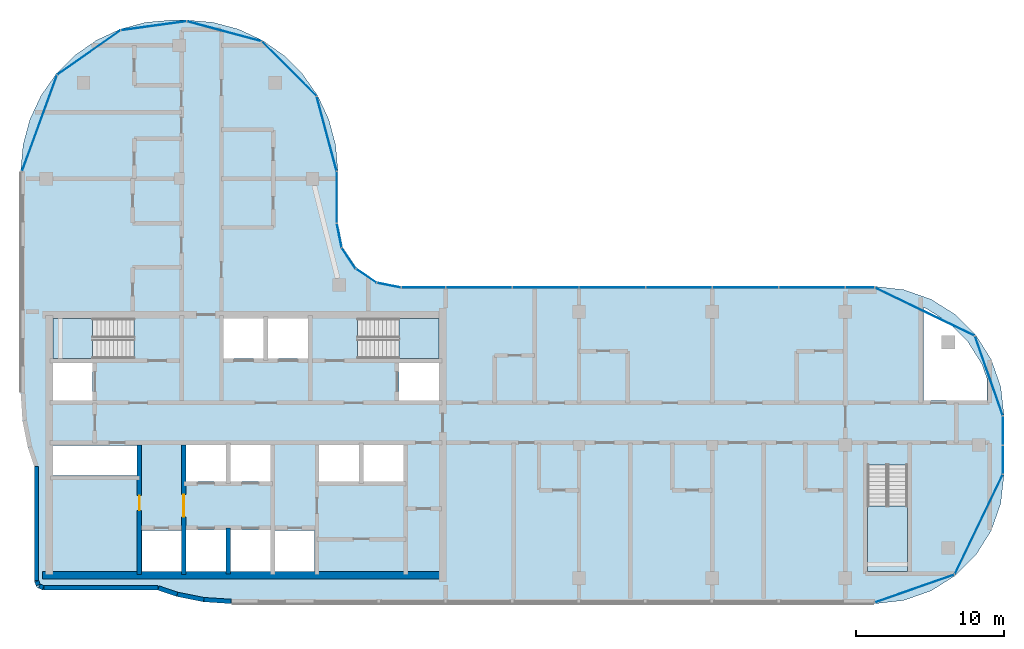
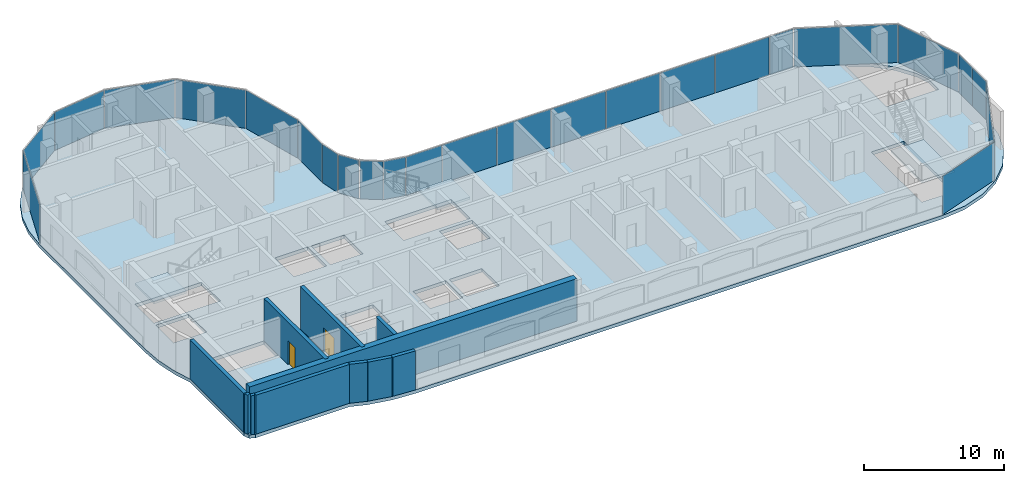
# One storey, part 8 of 19: 25 plates, 11 walls, 4 slabs, 2 doors, 2 openings, 10 elements without a shape of their own.
"""IFC4 building model written with IfcOpenShell, lengths in metres."""

from ifc_helpers import new_model, si_unit, direction, frame, frame_2d, origin, origin_2d, place, context, subcontext, project, spatial, polyline, rectangle, outline, extrude, material, layer, layer_set, type_object, element, fill, aggregate, save


model = new_model("IFC4")

# Units and contexts
model_context = context("Model", 3, precision=1e-05, world=origin(), true_north=direction((0.0, 1.0)))
body_context = subcontext(model_context, "Body", "Model", "MODEL_VIEW")
ifc_project = project(units=[si_unit("LENGTHUNIT", "METRE"), si_unit("AREAUNIT", "SQUARE_METRE"), si_unit("VOLUMEUNIT", "CUBIC_METRE"), si_unit("PLANEANGLEUNIT", "RADIAN"), si_unit("MASSUNIT", "GRAM", prefix="KILO")], contexts=[model_context])

# Site, building, storey
site_placement = place(None, origin())
site = spatial("IfcSite", under=ifc_project, at=site_placement, CompositionType="ELEMENT")
building_placement = place(site_placement, origin())
building = spatial("IfcBuilding", under=site, at=building_placement, Name="Ogive Portal Towers", CompositionType="ELEMENT")
storey_placement = place(building_placement, frame((0.0, 0.0, 203.199951171875)))
storey = spatial("IfcBuildingStorey", under=building, at=storey_placement, Name="L50", CompositionType="ELEMENT", Elevation=203.199951171875)

# Curtain wall, plates
ifc_material_1 = material(Name="Glass, clear low-iron insulated glazing", Category="glass")
curtain_wall_type = type_object("IfcCurtainWallType", Name="CW FRONT RIBBON 4500", PredefinedType="NOTDEFINED", material=ifc_material_1)
curtain_wall_1_placement = place(storey_placement, origin())
curtain_wall_1 = element("IfcCurtainWall", 1, at=curtain_wall_1_placement, inside=storey, type_object=curtain_wall_type, Name="A:L50:f10:cw0", PredefinedType="NOTDEFINED")
ifc_layer_1 = layer(ifc_material_1, 0.028076171875)
ifc_layer_set_1 = layer_set([ifc_layer_1], Name="CW PANEL IGU 28")
plate_type = type_object("IfcPlateType", Name="CW PANEL IGU 28", PredefinedType="CURTAIN_PANEL", material=ifc_layer_set_1)
plate_1_placement = place(storey_placement, frame((96.135009765625, 29.509033203125, 0.0), z_axis=(0.0, 0.0, 1.0), x_axis=(0.0, 1.0, 0.0)))
plate_1 = element("IfcPlate", 2, at=plate_1_placement, type_object=plate_type, Name="panel", PredefinedType="CURTAIN_PANEL", context=body_context, shape_type="SweptSolid", body=[
    extrude(rectangle(XDim=1.921630859375, YDim=0.028076171875, at=origin_2d()), origin(), (0.0, 0.0, 1.0), 3.340087890625),
])
plate_2_placement = place(storey_placement, frame((96.135009765625, 31.4931640625, 0.0), z_axis=(0.0, 0.0, 1.0), x_axis=(0.0, 1.0, 0.0)))
plate_2 = element("IfcPlate", 3, at=plate_2_placement, type_object=plate_type, Name="panel", PredefinedType="CURTAIN_PANEL", context=body_context, shape_type="SweptSolid", body=[
    extrude(rectangle(XDim=1.926513671875, YDim=0.028076171875, at=origin_2d()), origin(), (0.0, 0.0, 1.0), 3.340087890625),
])
aggregate(curtain_wall_1, [plate_1, plate_2])

curtain_wall_2_placement = place(storey_placement, origin())
curtain_wall_2 = element("IfcCurtainWall", 4, at=curtain_wall_2_placement, inside=storey, type_object=curtain_wall_type, Name="A:L50:f13:cw0", PredefinedType="NOTDEFINED")
plate_3_placement = place(storey_placement, frame((86.490966796875, 41.135009765625, 0.0), z_axis=(0.0, 0.0, 1.0), x_axis=(-1.0, 0.0, 0.0)))
plate_3 = element("IfcPlate", 5, at=plate_3_placement, type_object=plate_type, Name="panel", PredefinedType="CURTAIN_PANEL", context=body_context, shape_type="SweptSolid", body=[
    extrude(rectangle(XDim=1.921630859375, YDim=0.028076171875, at=origin_2d()), origin(), (0.0, 0.0, 1.0), 3.340087890625),
])
plate_4_placement = place(storey_placement, frame((83.25, 41.135009765625, 0.0), z_axis=(0.0, 0.0, 1.0), x_axis=(-1.0, 0.0, 0.0)))
plate_4 = element("IfcPlate", 6, at=plate_4_placement, type_object=plate_type, Name="panel", PredefinedType="CURTAIN_PANEL", context=body_context, shape_type="SweptSolid", body=[
    extrude(rectangle(XDim=4.43994140625, YDim=0.028076171875, at=origin_2d()), origin(), (0.0, 0.0, 1.0), 3.340087890625),
])
plate_5_placement = place(storey_placement, frame((78.75, 41.135009765625, 0.0), z_axis=(0.0, 0.0, 1.0), x_axis=(-1.0, 0.0, 0.0)))
plate_5 = element("IfcPlate", 7, at=plate_5_placement, type_object=plate_type, Name="panel", PredefinedType="CURTAIN_PANEL", context=body_context, shape_type="SweptSolid", body=[
    extrude(rectangle(XDim=4.43994140625, YDim=0.028076171875, at=origin_2d()), origin(), (0.0, 0.0, 1.0), 3.340087890625),
])
plate_6_placement = place(storey_placement, frame((74.25, 41.135009765625, 0.0), z_axis=(0.0, 0.0, 1.0), x_axis=(-1.0, 0.0, 0.0)))
plate_6 = element("IfcPlate", 8, at=plate_6_placement, type_object=plate_type, Name="panel", PredefinedType="CURTAIN_PANEL", context=body_context, shape_type="SweptSolid", body=[
    extrude(rectangle(XDim=4.43994140625, YDim=0.028076171875, at=origin_2d()), origin(), (0.0, 0.0, 1.0), 3.340087890625),
])
plate_7_placement = place(storey_placement, frame((69.75, 41.135009765625, 0.0), z_axis=(0.0, 0.0, 1.0), x_axis=(-1.0, 0.0, 0.0)))
plate_7 = element("IfcPlate", 9, at=plate_7_placement, type_object=plate_type, Name="panel", PredefinedType="CURTAIN_PANEL", context=body_context, shape_type="SweptSolid", body=[
    extrude(rectangle(XDim=4.43994140625, YDim=0.028076171875, at=origin_2d()), origin(), (0.0, 0.0, 1.0), 3.340087890625),
])
plate_8_placement = place(storey_placement, frame((65.25, 41.135009765625, 0.0), z_axis=(0.0, 0.0, 1.0), x_axis=(-1.0, 0.0, 0.0)))
plate_8 = element("IfcPlate", 10, at=plate_8_placement, type_object=plate_type, Name="panel", PredefinedType="CURTAIN_PANEL", context=body_context, shape_type="SweptSolid", body=[
    extrude(rectangle(XDim=4.43994140625, YDim=0.028076171875, at=origin_2d()), origin(), (0.0, 0.0, 1.0), 3.340087890625),
])
plate_9_placement = place(storey_placement, frame((60.75, 41.135009765625, 0.0), z_axis=(0.0, 0.0, 1.0), x_axis=(-1.0, 0.0, 0.0)))
plate_9 = element("IfcPlate", 11, at=plate_9_placement, type_object=plate_type, Name="panel", PredefinedType="CURTAIN_PANEL", context=body_context, shape_type="SweptSolid", body=[
    extrude(rectangle(XDim=4.43994140625, YDim=0.028076171875, at=origin_2d()), origin(), (0.0, 0.0, 1.0), 3.340087890625),
])
plate_10_placement = place(storey_placement, frame((56.99609375, 41.135009765625, 0.0), z_axis=(0.0, 0.0, 1.0), x_axis=(-1.0, 0.0, 0.0)))
plate_10 = element("IfcPlate", 12, at=plate_10_placement, type_object=plate_type, Name="panel", PredefinedType="CURTAIN_PANEL", context=body_context, shape_type="SweptSolid", body=[
    extrude(rectangle(XDim=2.947998046875, YDim=0.028076171875, at=origin_2d()), origin(), (0.0, 0.0, 1.0), 3.340087890625),
])
aggregate(curtain_wall_2, [plate_3, plate_4, plate_5, plate_6, plate_7, plate_8, plate_9, plate_10])

# Curtain wall, plate
curtain_wall_3_placement = place(storey_placement, origin())
curtain_wall_3 = element("IfcCurtainWall", 13, at=curtain_wall_3_placement, inside=storey, type_object=curtain_wall_type, Name="A:L50:f18:cw0", PredefinedType="NOTDEFINED")
plate_11_placement = place(storey_placement, frame((51.135009765625, 47.24072265625, 0.0), z_axis=(0.0, 0.0, 1.0), x_axis=(0.0, 1.0, 0.0)))
plate_11 = element("IfcPlate", 14, at=plate_11_placement, type_object=plate_type, Name="panel", PredefinedType="CURTAIN_PANEL", context=body_context, shape_type="SweptSolid", body=[
    extrude(rectangle(XDim=3.437255859375, YDim=0.028076171875, at=origin_2d()), origin(), (0.0, 0.0, 1.0), 3.340087890625),
])
aggregate(curtain_wall_3, [plate_11])

# Curtain wall, plates
curtain_wall_4_placement = place(storey_placement, origin())
curtain_wall_4 = element("IfcCurtainWall", 15, at=curtain_wall_4_placement, inside=storey, type_object=curtain_wall_type, Name="A:L50:f08:cwa", PredefinedType="NOTDEFINED")
plate_12_placement = place(storey_placement, frame((90.18115234375, 20.807861328125, 0.0), z_axis=(0.0, 0.0, 1.0), x_axis=(0.943883330307, 0.33027906196, 0.0)))
plate_12 = element("IfcPlate", 16, at=plate_12_placement, type_object=plate_type, Name="panel", PredefinedType="CURTAIN_PANEL", context=body_context, shape_type="SweptSolid", body=[
    extrude(rectangle(XDim=5.650146484375, YDim=0.028076171875, at=origin_2d()), origin(), (0.0, 0.0, 1.0), 3.340087890625),
])
plate_13_placement = place(storey_placement, frame((94.505615234375, 25.134521484375, 0.0), z_axis=(0.0, 0.0, 1.0), x_axis=(0.433883739113, 0.900968867905, 0.0)))
plate_13 = element("IfcPlate", 17, at=plate_13_placement, type_object=plate_type, Name="panel", PredefinedType="CURTAIN_PANEL", context=body_context, shape_type="SweptSolid", body=[
    extrude(rectangle(XDim=7.451171875, YDim=0.028076171875, at=origin_2d()), origin(), (0.0, 0.0, 1.0), 3.340087890625),
])
aggregate(curtain_wall_4, [plate_12, plate_13])

curtain_wall_5_placement = place(storey_placement, origin())
curtain_wall_5 = element("IfcCurtainWall", 18, at=curtain_wall_5_placement, inside=storey, type_object=curtain_wall_type, Name="A:L50:f11:cwa", PredefinedType="NOTDEFINED")
plate_14_placement = place(storey_placement, frame((95.192138671875, 35.18115234375, 0.0), z_axis=(0.0, 0.0, 1.0), x_axis=(-0.33027906196, 0.943883330307, 0.0)))
plate_14 = element("IfcPlate", 19, at=plate_14_placement, type_object=plate_type, Name="panel", PredefinedType="CURTAIN_PANEL", context=body_context, shape_type="SweptSolid", body=[
    extrude(rectangle(XDim=5.650146484375, YDim=0.028076171875, at=origin_2d()), origin(), (0.0, 0.0, 1.0), 3.340087890625),
])
plate_15_placement = place(storey_placement, frame((90.865478515625, 39.505615234375, 0.0), z_axis=(0.0, 0.0, 1.0), x_axis=(-0.900968867905, 0.433883739113, 0.0)))
plate_15 = element("IfcPlate", 20, at=plate_15_placement, type_object=plate_type, Name="panel", PredefinedType="CURTAIN_PANEL", context=body_context, shape_type="SweptSolid", body=[
    extrude(rectangle(XDim=7.451171875, YDim=0.028076171875, at=origin_2d()), origin(), (0.0, 0.0, 1.0), 3.340087890625),
])
aggregate(curtain_wall_5, [plate_14, plate_15])

curtain_wall_6_placement = place(storey_placement, origin())
curtain_wall_6 = element("IfcCurtainWall", 21, at=curtain_wall_6_placement, inside=storey, type_object=curtain_wall_type, Name="A:L50:f14:cwa", PredefinedType="NOTDEFINED")
plate_16_placement = place(storey_placement, frame((54.66064453125, 41.30029296875, 0.0), z_axis=(0.0, 0.0, 1.0), x_axis=(-0.980785280403, 0.195090322016, 0.0)))
plate_16 = element("IfcPlate", 22, at=plate_16_placement, type_object=plate_type, Name="panel", PredefinedType="CURTAIN_PANEL", context=body_context, shape_type="SweptSolid", body=[
    extrude(rectangle(XDim=1.6357421875, YDim=0.028076171875, at=origin_2d()), origin(), (0.0, 0.0, 1.0), 3.340087890625),
])
plate_17_placement = place(storey_placement, frame((53.12060546875, 41.939208984375, 0.0), z_axis=(0.0, 0.0, 1.0), x_axis=(-0.831469612303, 0.55557023302, 0.0)))
plate_17 = element("IfcPlate", 23, at=plate_17_placement, type_object=plate_type, Name="panel", PredefinedType="CURTAIN_PANEL", context=body_context, shape_type="SweptSolid", body=[
    extrude(rectangle(XDim=1.643798828125, YDim=0.028076171875, at=origin_2d()), origin(), (0.0, 0.0, 1.0), 3.340087890625),
])
plate_18_placement = place(storey_placement, frame((51.939208984375, 43.12060546875, 0.0), z_axis=(0.0, 0.0, 1.0), x_axis=(-0.55557023302, 0.831469612303, 0.0)))
plate_18 = element("IfcPlate", 24, at=plate_18_placement, type_object=plate_type, Name="panel", PredefinedType="CURTAIN_PANEL", context=body_context, shape_type="SweptSolid", body=[
    extrude(rectangle(XDim=1.643798828125, YDim=0.028076171875, at=origin_2d()), origin(), (0.0, 0.0, 1.0), 3.340087890625),
])
plate_19_placement = place(storey_placement, frame((51.30029296875, 44.66064453125, 0.0), z_axis=(0.0, 0.0, 1.0), x_axis=(-0.195090322016, 0.980785280403, 0.0)))
plate_19 = element("IfcPlate", 25, at=plate_19_placement, type_object=plate_type, Name="panel", PredefinedType="CURTAIN_PANEL", context=body_context, shape_type="SweptSolid", body=[
    extrude(rectangle(XDim=1.6357421875, YDim=0.028076171875, at=origin_2d()), origin(), (0.0, 0.0, 1.0), 3.340087890625),
])
aggregate(curtain_wall_6, [plate_16, plate_17, plate_18, plate_19])

curtain_wall_7_placement = place(storey_placement, origin())
curtain_wall_7 = element("IfcCurtainWall", 26, at=curtain_wall_7_placement, inside=storey, type_object=curtain_wall_type, Name="A:L50:f19:cwa", PredefinedType="NOTDEFINED")
plate_20_placement = place(storey_placement, frame((50.454833984375, 51.52783203125, 0.0), z_axis=(0.0, 0.0, 1.0), x_axis=(-0.258819045103, 0.965925826289, 0.0)))
plate_20 = element("IfcPlate", 27, at=plate_20_placement, type_object=plate_type, Name="panel", PredefinedType="CURTAIN_PANEL", context=body_context, shape_type="SweptSolid", body=[
    extrude(rectangle(XDim=5.19580078125, YDim=0.028076171875, at=origin_2d()), origin(), (0.0, 0.0, 1.0), 3.340087890625),
])
plate_21_placement = place(storey_placement, frame((47.92041015625, 55.92041015625, 0.0), z_axis=(0.0, 0.0, 1.0), x_axis=(-0.707106781187, 0.707106781187, 0.0)))
plate_21 = element("IfcPlate", 28, at=plate_21_placement, type_object=plate_type, Name="panel", PredefinedType="CURTAIN_PANEL", context=body_context, shape_type="SweptSolid", body=[
    extrude(rectangle(XDim=5.184814453125, YDim=0.028076171875, at=origin_2d()), origin(), (0.0, 0.0, 1.0), 3.340087890625),
])
plate_22_placement = place(storey_placement, frame((43.530517578125, 58.4541015625, 0.0), z_axis=(0.0, 0.0, 1.0), x_axis=(-0.965925826289, 0.258819045103, 0.0)))
plate_22 = element("IfcPlate", 29, at=plate_22_placement, type_object=plate_type, Name="panel", PredefinedType="CURTAIN_PANEL", context=body_context, shape_type="SweptSolid", body=[
    extrude(rectangle(XDim=5.190185546875, YDim=0.028076171875, at=origin_2d()), origin(), (0.0, 0.0, 1.0), 3.340087890625),
])
plate_23_placement = place(storey_placement, frame((38.765625, 58.827880859375, 0.0), z_axis=(0.0, 0.0, 1.0), x_axis=(-0.990733764465, -0.135818290186, 0.0)))
plate_23 = element("IfcPlate", 30, at=plate_23_placement, type_object=plate_type, Name="panel", PredefinedType="CURTAIN_PANEL", context=body_context, shape_type="SweptSolid", body=[
    extrude(rectangle(XDim=4.440185546875, YDim=0.028076171875, at=origin_2d()), origin(), (0.0, 0.0, 1.0), 3.340087890625),
])
plate_24_placement = place(storey_placement, frame((34.388916015625, 57.0185546875, 0.0), z_axis=(0.0, 0.0, 1.0), x_axis=(-0.819152044289, -0.573576436351, 0.0)))
plate_24 = element("IfcPlate", 31, at=plate_24_placement, type_object=plate_type, Name="panel", PredefinedType="CURTAIN_PANEL", context=body_context, shape_type="SweptSolid", body=[
    extrude(rectangle(XDim=5.18310546875, YDim=0.028076171875, at=origin_2d()), origin(), (0.0, 0.0, 1.0), 3.340087890625),
])
plate_25_placement = place(storey_placement, frame((31.05322265625, 52.25048828125, 0.0), z_axis=(0.0, 0.0, 1.0), x_axis=(-0.342020143326, -0.939692620786, 0.0)))
plate_25 = element("IfcPlate", 32, at=plate_25_placement, type_object=plate_type, Name="panel", PredefinedType="CURTAIN_PANEL", context=body_context, shape_type="SweptSolid", body=[
    extrude(rectangle(XDim=6.88818359375, YDim=0.028076171875, at=origin_2d()), origin(), (0.0, 0.0, 1.0), 3.340087890625),
])
aggregate(curtain_wall_7, [plate_20, plate_21, plate_22, plate_23, plate_24, plate_25])

# Stair, slab
ifc_material_2 = material(Name="Concrete C40/50", Category="concrete")
stair_type = type_object("IfcStairType", Name="INT-STAIR", PredefinedType="HALF_TURN_STAIR", material=ifc_material_2)
stair_1_placement = place(storey_placement, origin())
stair_1 = element("IfcStair", 33, at=stair_1_placement, inside=storey, type_object=stair_type, Name="L50 Exit Stair ST-A1", PredefinedType="HALF_TURN_STAIR")
ifc_layer_2 = layer(ifc_material_2, 0.199951171875)
ifc_layer_set_2 = layer_set([ifc_layer_2], Name="INT-LANDING")
slab_type_1 = type_object("IfcSlabType", Name="INT-LANDING", PredefinedType="LANDING", material=ifc_layer_set_2)
slab_1_placement = place(storey_placement, frame((0.0, 0.0, 1.650146484375)))
slab_1 = element("IfcSlab", 34, at=slab_1_placement, type_object=slab_type_1, Name="ST-A1 landing 1", PredefinedType="LANDING", context=body_context, shape_type="SweptSolid", body=[
    extrude(outline(polyline([(34.64990234375, 39.050048828125), (31.949951171875, 39.050048828125), (31.949951171875, 36.35009765625), (34.64990234375, 36.35009765625), (34.64990234375, 39.050048828125)])), origin(), (0.0, 0.0, 1.0), 0.199951171875),
])
aggregate(stair_1, [slab_1])

stair_2_placement = place(storey_placement, origin())
stair_2 = element("IfcStair", 35, at=stair_2_placement, inside=storey, type_object=stair_type, Name="L50 Exit Stair ST-A2", PredefinedType="HALF_TURN_STAIR")
slab_2_placement = place(storey_placement, frame((0.0, 0.0, 1.650146484375)))
slab_2 = element("IfcSlab", 36, at=slab_2_placement, type_object=slab_type_1, Name="ST-A2 landing 1", PredefinedType="LANDING", context=body_context, shape_type="SweptSolid", body=[
    extrude(outline(polyline([(55.35009765625, 36.35009765625), (58.050048828125, 36.35009765625), (58.050048828125, 39.050048828125), (55.35009765625, 39.050048828125), (55.35009765625, 36.35009765625)])), origin(), (0.0, 0.0, 1.0), 0.199951171875),
])
aggregate(stair_2, [slab_2])

stair_3_placement = place(storey_placement, origin())
stair_3 = element("IfcStair", 37, at=stair_3_placement, inside=storey, type_object=stair_type, Name="L50 Exit Stair ST-A4", PredefinedType="HALF_TURN_STAIR")
slab_3_placement = place(storey_placement, frame((0.0, 0.0, 1.650146484375)))
slab_3 = element("IfcSlab", 38, at=slab_3_placement, type_object=slab_type_1, Name="ST-A4 landing 1", PredefinedType="LANDING", context=body_context, shape_type="SweptSolid", body=[
    extrude(outline(polyline([(87.0, 26.3701171875), (87.0, 21.949951171875), (89.699951171875, 21.949951171875), (89.699951171875, 26.3701171875), (87.0, 26.3701171875)])), origin(), (0.0, 0.0, 1.0), 0.199951171875),
])
aggregate(stair_3, [slab_3])

# Slab
ifc_material_3 = material(Name="Concrete C45/55", Category="concrete")
ifc_layer_3 = layer(ifc_material_3, 0.300048828125)
ifc_layer_set_3 = layer_set([ifc_layer_3], Name="PT FLAT PLATE 300")
slab_type_2 = type_object("IfcSlabType", Name="PT FLAT PLATE 300", PredefinedType="FLOOR", material=ifc_layer_set_3)
slab_4_placement = place(storey_placement, frame((0.0, 0.0, -0.300048828125)))
element("IfcSlab", 39, at=slab_4_placement, inside=storey, type_object=slab_type_2, Name="Floor slab L50", PredefinedType="FLOOR", context=body_context, shape_type="SweptSolid", body=[
    extrude(outline(polyline([(29.906494140625, 32.14453125), (30.269287109375, 30.32080078125), (30.699951171875, 29.05224609375), (30.699951171875, 21.300048828125), (30.875732421875, 20.875732421875), (31.300048828125, 20.699951171875), (39.05224609375, 20.699951171875), (40.32080078125, 20.269287109375), (42.14453125, 19.906494140625), (44.0, 19.784912109375), (87.5, 19.784912109375), (89.439208984375, 20.00341796875), (91.28125, 20.648193359375), (92.93359375, 21.686279296875), (94.313720703125, 23.06640625), (95.351806640625, 24.71875), (95.99658203125, 26.560791015625), (96.215087890625, 28.5), (96.215087890625, 32.5), (95.99658203125, 34.439208984375), (95.351806640625, 36.28125), (94.313720703125, 37.93359375), (92.93359375, 39.313720703125), (91.28125, 40.351806640625), (89.439208984375, 40.99658203125), (87.5, 41.215087890625), (55.5, 41.215087890625), (53.860107421875, 41.541259765625), (52.469970703125, 42.469970703125), (51.541259765625, 43.860107421875), (51.215087890625, 45.5), (51.215087890625, 49.0), (51.059814453125, 50.773681640625), (50.59912109375, 52.49365234375), (49.846435546875, 54.107421875), (48.8251953125, 55.566162109375), (47.566162109375, 56.8251953125), (46.107421875, 57.846435546875), (44.49365234375, 58.59912109375), (42.773681640625, 59.059814453125), (41.0, 59.215087890625), (40.0, 59.215087890625), (38.226318359375, 59.059814453125), (36.50634765625, 58.59912109375), (34.892578125, 57.846435546875), (33.433837890625, 56.8251953125), (32.1748046875, 55.566162109375), (31.153564453125, 54.107421875), (30.40087890625, 52.49365234375), (29.940185546875, 50.773681640625), (29.784912109375, 49.0), (29.784912109375, 34.0), (29.906494140625, 32.14453125)]), holes=[polyline([(40.6298828125, 21.969970703125), (37.969970703125, 21.969970703125), (37.969970703125, 24.72998046875), (40.6298828125, 24.72998046875), (40.6298828125, 21.969970703125)]), polyline([(43.64990234375, 24.75), (43.64990234375, 21.949951171875), (40.949951171875, 21.949951171875), (40.949951171875, 24.75), (43.64990234375, 24.75)]), polyline([(46.64990234375, 24.75), (46.64990234375, 21.949951171875), (43.949951171875, 21.949951171875), (43.949951171875, 24.75), (46.64990234375, 24.75)]), polyline([(43.64990234375, 30.5), (43.64990234375, 28.050048828125), (40.949951171875, 28.050048828125), (40.949951171875, 30.5), (43.64990234375, 30.5)]), polyline([(46.64990234375, 30.5), (46.64990234375, 28.050048828125), (43.949951171875, 28.050048828125), (43.949951171875, 30.5), (46.64990234375, 30.5)]), polyline([(37.6298828125, 28.447021484375), (31.969970703125, 28.447021484375), (31.969970703125, 30.47998046875), (37.6298828125, 30.47998046875), (37.6298828125, 28.447021484375)]), polyline([(34.64990234375, 36.050048828125), (34.64990234375, 33.5), (31.949951171875, 33.5), (31.949951171875, 36.050048828125), (34.64990234375, 36.050048828125)]), polyline([(31.951904296875, 39.048095703125), (37.447998046875, 39.048095703125), (37.447998046875, 36.35205078125), (31.951904296875, 36.35205078125), (31.951904296875, 39.048095703125)]), polyline([(46.199951171875, 39.050048828125), (46.199951171875, 36.35009765625), (43.5, 36.35009765625), (43.5, 39.050048828125), (46.199951171875, 39.050048828125)]), polyline([(49.6298828125, 21.969970703125), (46.969970703125, 21.969970703125), (46.969970703125, 24.72998046875), (49.6298828125, 24.72998046875), (49.6298828125, 21.969970703125)]), polyline([(87.001953125, 21.951904296875), (87.001953125, 29.16796875), (89.697998046875, 29.16796875), (89.697998046875, 21.951904296875), (87.001953125, 21.951904296875)]), polyline([(52.64990234375, 30.5), (52.64990234375, 28.050048828125), (49.949951171875, 28.050048828125), (49.949951171875, 30.5), (52.64990234375, 30.5)]), polyline([(55.64990234375, 30.5), (55.64990234375, 28.050048828125), (52.949951171875, 28.050048828125), (52.949951171875, 30.5), (55.64990234375, 30.5)]), polyline([(58.050048828125, 36.050048828125), (58.050048828125, 33.5), (55.35009765625, 33.5), (55.35009765625, 36.050048828125), (58.050048828125, 36.050048828125)]), polyline([(93.762939453125, 37.494384765625), (94.71728515625, 35.9755859375), (95.080078125, 34.93896484375), (95.080078125, 33.52001953125), (90.77001953125, 33.52001953125), (90.77001953125, 39.789306640625), (90.9755859375, 39.71728515625), (92.494384765625, 38.762939453125), (93.762939453125, 37.494384765625)]), polyline([(49.199951171875, 36.35009765625), (46.5, 36.35009765625), (46.5, 39.050048828125), (49.199951171875, 39.050048828125), (49.199951171875, 36.35009765625)]), polyline([(52.552001953125, 36.35205078125), (52.552001953125, 39.048095703125), (58.048095703125, 39.048095703125), (58.048095703125, 36.35205078125), (52.552001953125, 36.35205078125)])]), origin(), (0.0, 0.0, 1.0), 0.300048828125),
])

# Wall, opening, door
ifc_material_4 = material(Name="Concrete C60/75", Category="concrete")
ifc_layer_4 = layer(ifc_material_4, 0.300048828125)
ifc_layer_set_4 = layer_set([ifc_layer_4], Name="CORE WALL 300 C60")
wall_type_1 = type_object("IfcWallType", Name="CORE WALL 300 C60", PredefinedType="SHEAR", material=ifc_layer_set_4)
wall_1_placement = place(storey_placement, frame((37.800048828125, 21.75, 0.0), z_axis=(0.0, 0.0, 1.0), x_axis=(0.0, 1.0, 0.0)))
wall_1 = element("IfcWall", 40, at=wall_1_placement, inside=storey, type_object=wall_type_1, Name="Core wall X1 L50", PredefinedType="SHEAR", context=body_context, shape_type="SweptSolid", body=[
    extrude(rectangle(XDim=8.75, YDim=0.300048828125, at=frame_2d((4.375, 0.0))), origin(), (0.0, 0.0, 1.0), 3.699951171875),
])
opening_1_placement = place(wall_1_placement, frame((4.337890625, 0.0, 0.0)))
opening_1 = element("IfcOpeningElement", 41, at=opening_1_placement, cuts=wall_1, Name="Opening D22-022", PredefinedType="OPENING", context=body_context, shape_type="SweptSolid", body=[
    extrude(rectangle(XDim=1.0, YDim=2.10009765625, at=frame_2d((0.5, 1.050048828125))), frame((0.0, 0.16015625, 0.0), z_axis=(0.0, -1.0, 0.0), x_axis=(1.0, 0.0, 0.0)), (0.0, 0.0, 1.0), 0.320068359375),
])
ifc_material_5 = material(Name="Steel fire door", Category="steel")
door_type_1 = type_object("IfcDoorType", Name="DT-SWING-1000x2100-FD90S", OperationType="SINGLE_SWING_LEFT", PredefinedType="DOOR", material=ifc_material_5)
door_1_placement = place(opening_1_placement, origin())
door_1 = element("IfcDoor", 42, at=door_1_placement, inside=storey, type_object=door_type_1, Name="Door D22-022", OperationType="SINGLE_SWING_RIGHT", OverallHeight=2.10009765625, OverallWidth=1.0, PredefinedType="DOOR", context=body_context, shape_type="SweptSolid", body=[
    extrude(rectangle(XDim=1.0, YDim=2.10009765625, at=frame_2d((0.5, 1.050048828125))), frame((0.0, 0.02490234375, 0.0), z_axis=(0.0, -1.0, 0.0), x_axis=(1.0, 0.0, 0.0)), (0.0, 0.0, 1.0), 0.050048828125),
])
fill(opening_1, door_1)

wall_2_placement = place(storey_placement, frame((40.800048828125, 21.75, 0.0), z_axis=(0.0, 0.0, 1.0), x_axis=(0.0, 1.0, 0.0)))
wall_2 = element("IfcWall", 43, at=wall_2_placement, inside=storey, type_object=wall_type_1, Name="Core wall X2 L50", PredefinedType="SHEAR", context=body_context, shape_type="SweptSolid", body=[
    extrude(rectangle(XDim=8.75, YDim=0.300048828125, at=frame_2d((4.375, 0.0))), origin(), (0.0, 0.0, 1.0), 3.699951171875),
])
opening_2_placement = place(wall_2_placement, frame((3.89990234375, 0.0, 0.0)))
opening_2 = element("IfcOpeningElement", 44, at=opening_2_placement, cuts=wall_2, Name="Opening D22-001", PredefinedType="OPENING", context=body_context, shape_type="SweptSolid", body=[
    extrude(rectangle(XDim=1.5, YDim=2.10009765625, at=frame_2d((0.75, 1.050048828125))), frame((0.0, 0.16015625, 0.0), z_axis=(0.0, -1.0, 0.0), x_axis=(1.0, 0.0, 0.0)), (0.0, 0.0, 1.0), 0.320068359375),
])
door_type_2 = type_object("IfcDoorType", Name="DT-SWING-1500x2100-FD90S", OperationType="SINGLE_SWING_LEFT", PredefinedType="DOOR", material=ifc_material_5)
door_2_placement = place(opening_2_placement, origin())
door_2 = element("IfcDoor", 45, at=door_2_placement, inside=storey, type_object=door_type_2, Name="Door D22-001", OperationType="SINGLE_SWING_RIGHT", OverallHeight=2.10009765625, OverallWidth=1.5, PredefinedType="DOOR", context=body_context, shape_type="SweptSolid", body=[
    extrude(rectangle(XDim=1.5, YDim=2.10009765625, at=frame_2d((0.75, 1.050048828125))), frame((0.0, 0.02490234375, 0.0), z_axis=(0.0, -1.0, 0.0), x_axis=(1.0, 0.0, 0.0)), (0.0, 0.0, 1.0), 0.050048828125),
])
fill(opening_2, door_2)

# Walls
ifc_layer_5 = layer(ifc_material_4, 0.5)
ifc_layer_set_5 = layer_set([ifc_layer_5], Name="CORE WALL 500 C60")
wall_type_2 = type_object("IfcWallType", Name="CORE WALL 500 C60", PredefinedType="SHEAR", material=ifc_layer_set_5)
wall_3_placement = place(storey_placement, frame((31.25, 21.699951171875, 0.0), z_axis=(0.0, 0.0, 1.0), x_axis=(1.0, 0.0, 0.0)))
element("IfcWall", 46, at=wall_3_placement, inside=storey, type_object=wall_type_2, Name="Core wall S L50", PredefinedType="SHEAR", context=body_context, shape_type="SweptSolid", body=[
    extrude(rectangle(XDim=27.0, YDim=0.5, at=frame_2d((13.5, 0.0))), origin(), (0.0, 0.0, 1.0), 3.699951171875),
])
ifc_material_6 = material(Name="Limestone cladding on lightweight block wall", Category="masonry")
ifc_layer_6 = layer(ifc_material_6, 0.300048828125)
ifc_layer_set_6 = layer_set([ifc_layer_6], Name="EXTERNAL WALL 300 STONE")
wall_type_3 = type_object("IfcWallType", Name="EXTERNAL WALL 300 STONE", PredefinedType="SOLIDWALL", material=ifc_layer_set_6)
wall_4_placement = place(storey_placement, frame((30.85009765625, 29.05224609375, 0.0), z_axis=(0.0, 0.0, 1.0), x_axis=(0.0, -1.0, 0.0)))
element("IfcWall", 47, at=wall_4_placement, inside=storey, type_object=wall_type_3, Name="A:L50:f00:r0:wall", PredefinedType="SOLIDWALL", context=body_context, shape_type="SweptSolid", body=[
    extrude(rectangle(XDim=7.692626953125, YDim=0.300048828125, at=frame_2d((3.84619140625, 0.0))), origin(), (0.0, 0.0, 1.0), 3.400146484375),
])
for number, where, z_axis, x_axis, name in (
    (48, (30.861328125, 21.30224609375, 0.0), (0.0, 0.0, 1.0), (0.38297812142, -0.923757413239, 0.0), "A:L50:f01:r0:wall"),
    (49, (31.0478515625, 20.966796875, 0.0), (0.0, 0.0, 1.0), (0.923757413239, -0.38297812142, 0.0), "A:L50:f02:r0:wall"),
):
    element("IfcWall", number, at=place(storey_placement, frame(where, z_axis=z_axis, x_axis=x_axis)), inside=storey, type_object=wall_type_3, Name=name, PredefinedType="SOLIDWALL", context=body_context, shape_type="SweptSolid", body=[
        extrude(rectangle(XDim=0.275390625, YDim=0.300048828125, at=frame_2d((0.1376953125, 0.0))), origin(), (0.0, 0.0, 1.0), 3.400146484375),
    ])
wall_5_placement = place(storey_placement, frame((31.359619140625, 20.85009765625, 0.0), z_axis=(0.0, 0.0, 1.0), x_axis=(1.0, 0.0, 0.0)))
element("IfcWall", 50, at=wall_5_placement, inside=storey, type_object=wall_type_3, Name="A:L50:f03:r0:wall", PredefinedType="SOLIDWALL", context=body_context, shape_type="SweptSolid", body=[
    extrude(rectangle(XDim=7.692626953125, YDim=0.300048828125, at=frame_2d((3.84619140625, 0.0))), origin(), (0.0, 0.0, 1.0), 3.400146484375),
])
wall_6_placement = place(storey_placement, frame((39.1005859375, 20.842041015625, 0.0), z_axis=(0.0, 0.0, 1.0), x_axis=(0.946930456305, -0.32143850255, 0.0)))
element("IfcWall", 51, at=wall_6_placement, inside=storey, type_object=wall_type_3, Name="A:L50:f04:r0:wall", PredefinedType="SOLIDWALL", context=body_context, shape_type="SweptSolid", body=[
    extrude(rectangle(XDim=1.320068359375, YDim=0.300048828125, at=frame_2d((0.66015625, 0.0))), origin(), (0.0, 0.0, 1.0), 3.400146484375),
])
wall_7_placement = place(storey_placement, frame((40.369384765625, 20.41259765625, 0.0), z_axis=(0.0, 0.0, 1.0), x_axis=(0.980796757168, -0.195032615553, 0.0)))
element("IfcWall", 52, at=wall_7_placement, inside=storey, type_object=wall_type_3, Name="A:L50:f05:r0:wall", PredefinedType="SOLIDWALL", context=body_context, shape_type="SweptSolid", body=[
    extrude(rectangle(XDim=1.820068359375, YDim=0.300048828125, at=frame_2d((0.91015625, 0.0))), origin(), (0.0, 0.0, 1.0), 3.400146484375),
])
wall_8_placement = place(storey_placement, frame((42.174072265625, 20.054931640625, 0.0), z_axis=(0.0, 0.0, 1.0), x_axis=(0.997860660543, -0.065376617685, 0.0)))
element("IfcWall", 53, at=wall_8_placement, inside=storey, type_object=wall_type_3, Name="A:L50:f06:r0:wall", PredefinedType="SOLIDWALL", context=body_context, shape_type="SweptSolid", body=[
    extrude(rectangle(XDim=1.829833984375, YDim=0.300048828125, at=frame_2d((0.9150390625, 0.0))), origin(), (0.0, 0.0, 1.0), 3.400146484375),
])
ifc_layer_7 = layer(ifc_material_2, 0.300048828125)
ifc_layer_set_7 = layer_set([ifc_layer_7], Name="WT-SHAFT-300")
wall_type_4 = type_object("IfcWallType", Name="WT-SHAFT-300", PredefinedType="SOLIDWALL", material=ifc_layer_set_7)
wall_9_placement = place(storey_placement, frame((43.800048828125, 21.800048828125, 0.0), z_axis=(0.0, 0.0, 1.0), x_axis=(0.0, 1.0, 0.0)))
element("IfcWall", 54, at=wall_9_placement, inside=storey, type_object=wall_type_4, Name="Wall pw:008:L50", PredefinedType="SOLIDWALL", context=body_context, shape_type="SweptSolid", body=[
    extrude(rectangle(XDim=3.099853515625, YDim=0.300048828125, at=frame_2d((1.5498046875, 0.0))), origin(), (0.0, 0.0, 1.0), 3.400146484375),
])

save(model, "model.ifc")
